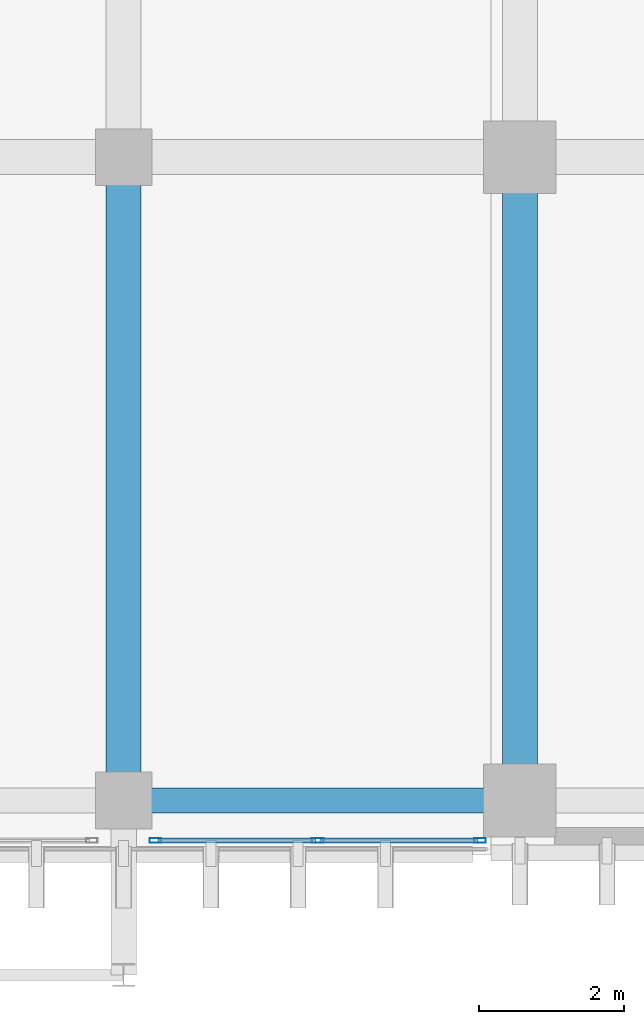
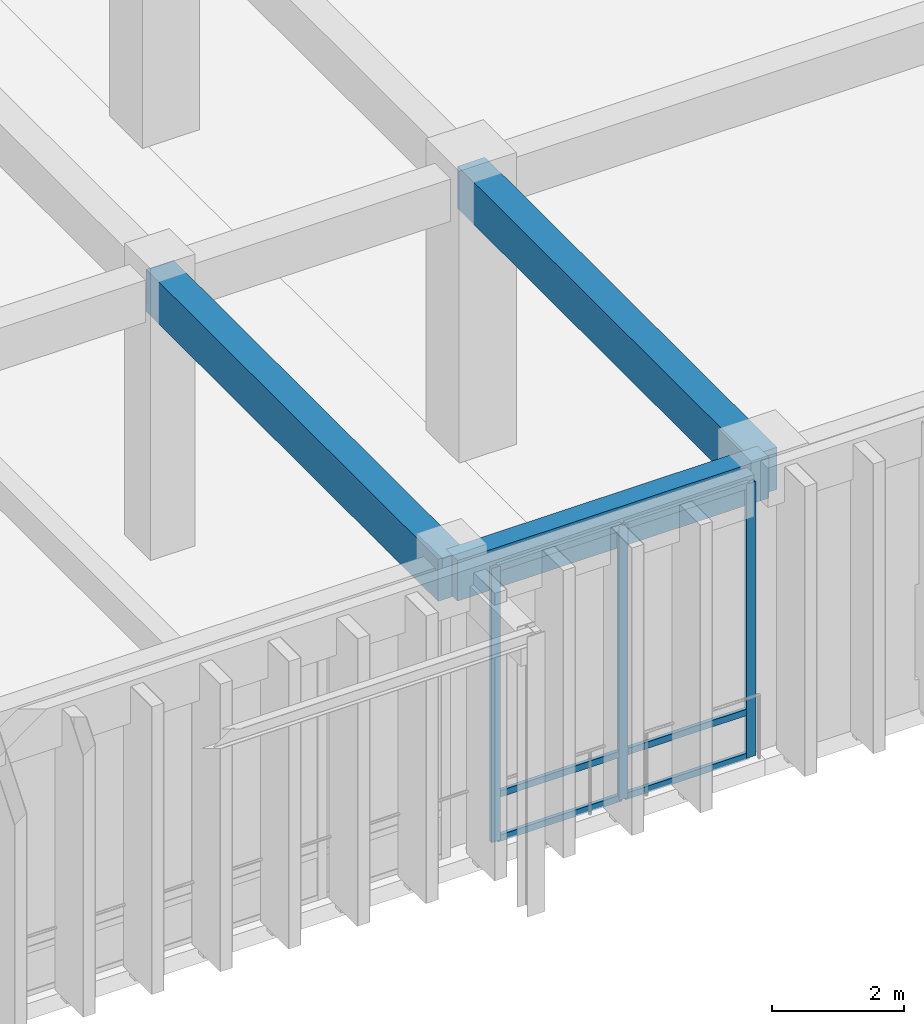
# One storey, part 58 of 134: 9 members, 3 beams, 1 element without a shape of its own.
"""IFC4 building model written with IfcOpenShell, lengths in metres."""

from ifc_helpers import new_model, si_unit, direction, frame, origin, origin_2d, place, context, subcontext, project, spatial, rectangle, hollow_rectangle, extrude, material, layer, layer_set, material_profile, profile_set, type_object, element, aggregate, save


model = new_model("IFC4")

# Units and contexts
model_context = context("Model", 3, precision=1e-05, world=origin(), true_north=direction((0.0, 1.0)))
body_context = subcontext(model_context, "Body", "Model", "MODEL_VIEW")
ifc_project = project(units=[si_unit("LENGTHUNIT", "METRE"), si_unit("AREAUNIT", "SQUARE_METRE"), si_unit("VOLUMEUNIT", "CUBIC_METRE"), si_unit("PLANEANGLEUNIT", "RADIAN"), si_unit("MASSUNIT", "GRAM", prefix="KILO")], contexts=[model_context])

# Site, building, storey
site_placement = place(None, origin())
site = spatial("IfcSite", under=ifc_project, at=site_placement, CompositionType="ELEMENT")
building_placement = place(site_placement, origin())
building = spatial("IfcBuilding", under=site, at=building_placement, Name="Nakhvara Creek Congress Hotel", CompositionType="ELEMENT")
storey_placement = place(building_placement, frame((0.0, 0.0, 6.0)))
storey = spatial("IfcBuildingStorey", under=building, at=storey_placement, Name="L01", CompositionType="ELEMENT", Elevation=6.0)

# Beams
ifc_material_1 = material(Name="Concrete C40/50", Category="concrete")
ifc_material_profile_1 = material_profile(ifc_material_1, rectangle(XDim=0.47998046875, YDim=0.780029296875, at=origin_2d()), Name="RC-BM 480x780", Category="LoadBearing")
ifc_profile_set_1 = profile_set([ifc_material_profile_1], Name="Concrete C40/50")
beam_type_1 = type_object("IfcBeamType", Name="BM-RC-480X780", PredefinedType="BEAM", material=ifc_profile_set_1)
for number, where, z_axis, x_axis, name in (
    (1, (144.0, 0.75, 4.7099609375), (0.0, 1.0, 0.0), (-1.0, 0.0, 0.0), "Beam B13-L01-1254"),
    (2, (149.449951171875, 0.75, 4.7099609375), (0.0, 1.0, 0.0), (-1.0, 0.0, 0.0), "Beam B13-L01-1272"),
):
    element("IfcBeam", number, at=place(storey_placement, frame(where, z_axis=z_axis, x_axis=x_axis)), inside=storey, type_object=beam_type_1, Name=name, PredefinedType="BEAM", context=body_context, shape_type="SweptSolid", body=[
        extrude(rectangle(XDim=0.47998046875, YDim=0.780029296875, at=origin_2d()), origin(), (0.0, 0.0, 1.0), 8.85009765625),
    ])
ifc_material_profile_2 = material_profile(ifc_material_1, rectangle(XDim=0.35009765625, YDim=0.75, at=origin_2d()), Name="RC-SPANDREL 350x750", Category="LoadBearing")
ifc_profile_set_2 = profile_set([ifc_material_profile_2], Name="Concrete C40/50")
beam_type_2 = type_object("IfcBeamType", Name="BM-SPN-350X750", PredefinedType="SPANDREL", material=ifc_profile_set_2)
beam_placement = place(storey_placement, frame((144.0, 0.75, 4.72509765625), z_axis=(1.0, 0.0, 0.0), x_axis=(0.0, 1.0, 0.0)))
element("IfcBeam", 3, at=beam_placement, inside=storey, type_object=beam_type_2, Name="Beam SP1-L01-1255", PredefinedType="SPANDREL", context=body_context, shape_type="SweptSolid", body=[
    extrude(rectangle(XDim=0.35009765625, YDim=0.75, at=origin_2d()), origin(), (0.0, 0.0, 1.0), 5.449951171875),
])

# Curtain wall, members
ifc_material_2 = material(Name="Bronze-anodised aluminium AW-6063-T6 and double-silver low-E glass", Category="aluminium")
ifc_layer = layer(ifc_material_2, 0.199951171875)
ifc_layer_set = layer_set([ifc_layer], Name="Bronze-anodised aluminium AW-6063-T6 and double-silver low-E glass")
curtain_wall_type = type_object("IfcCurtainWallType", Name="CW-SPA-STICK", PredefinedType="NOTDEFINED", material=ifc_layer_set)
curtain_wall_placement = place(storey_placement, origin())
curtain_wall = element("IfcCurtainWall", 4, at=curtain_wall_placement, inside=storey, type_object=curtain_wall_type, Name="Curtain Wall CW080", PredefinedType="NOTDEFINED")
ifc_material_3 = material(Name="Bronze-anodised aluminium AW-6063-T6", Category="aluminium")
ifc_material_profile_3 = material_profile(ifc_material_3, hollow_rectangle(XDim=0.06494140625, YDim=0.159912109375, WallThickness=0.00390625, at=origin_2d()), Name="ALU-MULL 65x160x4", Category="LoadBearing")
ifc_profile_set_3 = profile_set([ifc_material_profile_3], Name="Bronze-anodised aluminium AW-6063-T6")
member_type_1 = type_object("IfcMemberType", Name="CW-MULL-160", PredefinedType="MULLION", material=ifc_profile_set_3)
member_1_placement = place(storey_placement, frame((148.902587890625, 0.199951171875, 0.0), z_axis=(0.0, 0.0, 1.0), x_axis=(0.0, -1.0, 0.0)))
member_1 = element("IfcMember", 5, at=member_1_placement, type_object=member_type_1, Name="CW080 mullion 1", PredefinedType="MULLION", context=body_context, shape_type="SweptSolid", body=[
    extrude(hollow_rectangle(XDim=0.06494140625, YDim=0.159912109375, WallThickness=0.00390625, at=origin_2d()), origin(), (0.0, 0.0, 1.0), 5.070068359375),
])
member_2_placement = place(storey_placement, frame((146.669921875, 0.199951171875, 0.0), z_axis=(0.0, 0.0, 1.0), x_axis=(0.0, -1.0, 0.0)))
member_2 = element("IfcMember", 6, at=member_2_placement, type_object=member_type_1, Name="CW080 mullion 2", PredefinedType="MULLION", context=body_context, shape_type="SweptSolid", body=[
    extrude(hollow_rectangle(XDim=0.06494140625, YDim=0.159912109375, WallThickness=0.00390625, at=origin_2d()), origin(), (0.0, 0.0, 1.0), 5.070068359375),
])
member_3_placement = place(storey_placement, frame((144.4375, 0.199951171875, 0.0), z_axis=(0.0, 0.0, 1.0), x_axis=(0.0, -1.0, 0.0)))
member_3 = element("IfcMember", 7, at=member_3_placement, type_object=member_type_1, Name="CW080 mullion 3", PredefinedType="MULLION", context=body_context, shape_type="SweptSolid", body=[
    extrude(hollow_rectangle(XDim=0.06494140625, YDim=0.159912109375, WallThickness=0.00390625, at=origin_2d()), origin(), (0.0, 0.0, 1.0), 5.070068359375),
])
ifc_material_profile_4 = material_profile(ifc_material_3, hollow_rectangle(XDim=0.06494140625, YDim=0.1201171875, WallThickness=0.00390625, at=origin_2d()), Name="ALU-TRAN 65x120x4", Category="LoadBearing")
ifc_profile_set_4 = profile_set([ifc_material_profile_4], Name="Bronze-anodised aluminium AW-6063-T6")
member_type_2 = type_object("IfcMemberType", Name="CW-TRAN-120", PredefinedType="USERDEFINED", material=ifc_profile_set_4)
member_4_placement = place(storey_placement, frame((148.8701171875, 0.199951171875, 0.032470703125), z_axis=(-1.0, 0.0, 0.0), x_axis=(0.0, -1.0, 0.0)))
member_4 = element("IfcMember", 8, at=member_4_placement, type_object=member_type_2, Name="CW080 transom 1.1", ObjectType="TRANSOM", PredefinedType="USERDEFINED", context=body_context, shape_type="SweptSolid", body=[
    extrude(hollow_rectangle(XDim=0.06494140625, YDim=0.1201171875, WallThickness=0.00390625, at=origin_2d()), origin(), (0.0, 0.0, 1.0), 2.167724609375),
])
member_5_placement = place(storey_placement, frame((148.8701171875, 0.199951171875, 0.85009765625), z_axis=(-1.0, 0.0, 0.0), x_axis=(0.0, -1.0, 0.0)))
member_5 = element("IfcMember", 9, at=member_5_placement, type_object=member_type_2, Name="CW080 transom 1.2", ObjectType="TRANSOM", PredefinedType="USERDEFINED", context=body_context, shape_type="SweptSolid", body=[
    extrude(hollow_rectangle(XDim=0.06494140625, YDim=0.1201171875, WallThickness=0.00390625, at=origin_2d()), origin(), (0.0, 0.0, 1.0), 2.167724609375),
])
member_6_placement = place(storey_placement, frame((148.8701171875, 0.199951171875, 5.03759765625), z_axis=(-1.0, 0.0, 0.0), x_axis=(0.0, -1.0, 0.0)))
member_6 = element("IfcMember", 10, at=member_6_placement, type_object=member_type_2, Name="CW080 transom 1.3", ObjectType="TRANSOM", PredefinedType="USERDEFINED", context=body_context, shape_type="SweptSolid", body=[
    extrude(hollow_rectangle(XDim=0.06494140625, YDim=0.1201171875, WallThickness=0.00390625, at=origin_2d()), origin(), (0.0, 0.0, 1.0), 2.167724609375),
])
member_7_placement = place(storey_placement, frame((146.637451171875, 0.199951171875, 0.032470703125), z_axis=(-1.0, 0.0, 0.0), x_axis=(0.0, -1.0, 0.0)))
member_7 = element("IfcMember", 11, at=member_7_placement, type_object=member_type_2, Name="CW080 transom 2.1", ObjectType="TRANSOM", PredefinedType="USERDEFINED", context=body_context, shape_type="SweptSolid", body=[
    extrude(hollow_rectangle(XDim=0.06494140625, YDim=0.1201171875, WallThickness=0.00390625, at=origin_2d()), origin(), (0.0, 0.0, 1.0), 2.16748046875),
])
member_8_placement = place(storey_placement, frame((146.637451171875, 0.199951171875, 0.85009765625), z_axis=(-1.0, 0.0, 0.0), x_axis=(0.0, -1.0, 0.0)))
member_8 = element("IfcMember", 12, at=member_8_placement, type_object=member_type_2, Name="CW080 transom 2.2", ObjectType="TRANSOM", PredefinedType="USERDEFINED", context=body_context, shape_type="SweptSolid", body=[
    extrude(hollow_rectangle(XDim=0.06494140625, YDim=0.1201171875, WallThickness=0.00390625, at=origin_2d()), origin(), (0.0, 0.0, 1.0), 2.16748046875),
])
member_9_placement = place(storey_placement, frame((146.637451171875, 0.199951171875, 5.03759765625), z_axis=(-1.0, 0.0, 0.0), x_axis=(0.0, -1.0, 0.0)))
member_9 = element("IfcMember", 13, at=member_9_placement, type_object=member_type_2, Name="CW080 transom 2.3", ObjectType="TRANSOM", PredefinedType="USERDEFINED", context=body_context, shape_type="SweptSolid", body=[
    extrude(hollow_rectangle(XDim=0.06494140625, YDim=0.1201171875, WallThickness=0.00390625, at=origin_2d()), origin(), (0.0, 0.0, 1.0), 2.16748046875),
])
aggregate(curtain_wall, [member_1, member_2, member_3, member_4, member_5, member_6, member_7, member_8, member_9])

save(model, "model.ifc")
